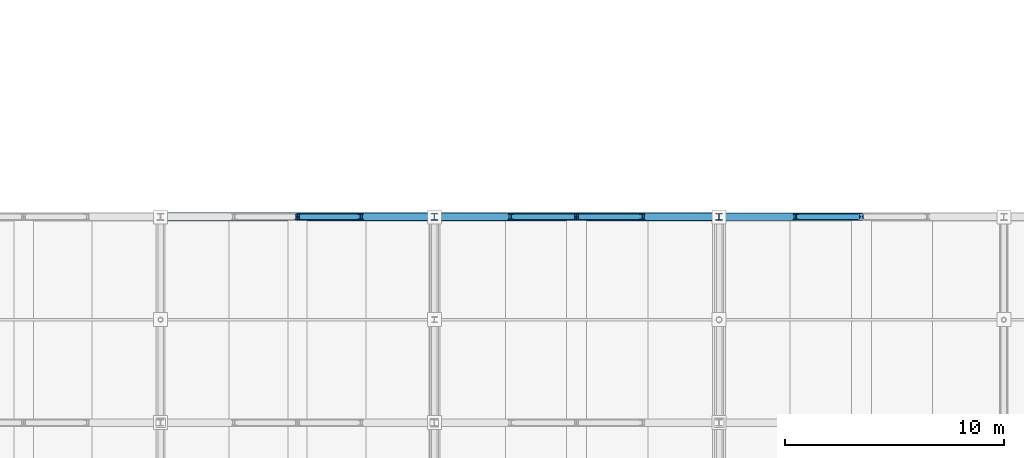
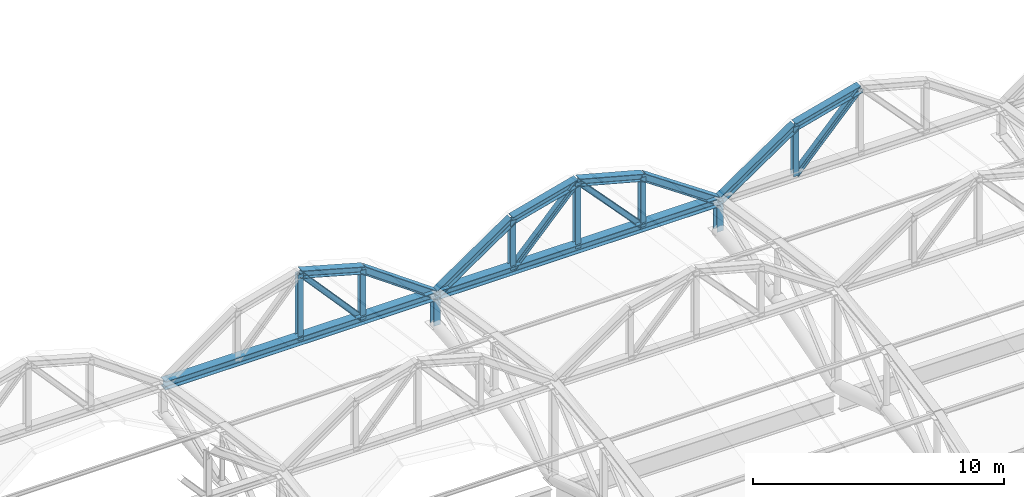
# One storey, part 26 of 117: 22 members.
"""IFC4 building model written with IfcOpenShell, lengths in metres."""

from ifc_helpers import new_model, si_unit, direction, frame, origin, origin_2d, place, context, subcontext, project, spatial, i_section, extrude, material, material_profile, profile_set, type_object, element, save


model = new_model("IFC4")

# Units and contexts
model_context = context("Model", 3, precision=1e-05, world=origin(), true_north=direction((0.0, 1.0)))
body_context = subcontext(model_context, "Body", "Model", "MODEL_VIEW")
ifc_project = project(units=[si_unit("LENGTHUNIT", "METRE"), si_unit("AREAUNIT", "SQUARE_METRE"), si_unit("VOLUMEUNIT", "CUBIC_METRE"), si_unit("PLANEANGLEUNIT", "RADIAN"), si_unit("MASSUNIT", "GRAM", prefix="KILO")], contexts=[model_context])

# Site, building, storey
site_placement = place(None, origin())
site = spatial("IfcSite", under=ifc_project, at=site_placement, CompositionType="ELEMENT")
building_placement = place(site_placement, origin())
building = spatial("IfcBuilding", under=site, at=building_placement, Name="Kazenohara Klinker Stadium", CompositionType="ELEMENT")
storey_placement = place(building_placement, frame((0.0, 0.0, 31.199951171875)))
storey = spatial("IfcBuildingStorey", under=building, at=storey_placement, Name="RF", CompositionType="ELEMENT", Elevation=31.199951171875)

# Members
ifc_material = material(Name="Steel S355", Category="steel")
ifc_material_profile_1 = material_profile(ifc_material, i_section(OverallWidth=0.39990234375, OverallDepth=0.39990234375, WebThickness=0.012939453125, FlangeThickness=0.02099609375, FilletRadius=0.02197265625, at=origin_2d()), Name="H-400x400x13x21")
ifc_profile_set_1 = profile_set([ifc_material_profile_1], Name="Steel S355")
member_type_1 = type_object("IfcMemberType", Name="MEM-CHD01", PredefinedType="CHORD", material=ifc_profile_set_1)
member_1_placement = place(storey_placement, frame((112.0, 45.39990234375, 3.300048828125), z_axis=(-1.0, 0.0, 0.0), x_axis=(0.0, -1.0, 0.0)))
element("IfcMember", 1, at=member_1_placement, inside=storey, type_object=member_type_1, Name="Inner tension ring chord TC01 segment 28", PredefinedType="CHORD", context=body_context, shape_type="SweptSolid", body=[
    extrude(i_section(OverallWidth=0.39990234375, OverallDepth=0.39990234375, WebThickness=0.012939453125, FlangeThickness=0.02099609375, FilletRadius=0.02197265625, at=origin_2d()), origin(), (0.0, 0.0, 1.0), 13.0),
])
member_2_placement = place(storey_placement, frame((99.0, 45.39990234375, 3.300048828125), z_axis=(-1.0, 0.0, 0.0), x_axis=(0.0, -1.0, 0.0)))
element("IfcMember", 2, at=member_2_placement, inside=storey, type_object=member_type_1, Name="Inner tension ring chord TC01 segment 29", PredefinedType="CHORD", context=body_context, shape_type="SweptSolid", body=[
    extrude(i_section(OverallWidth=0.39990234375, OverallDepth=0.39990234375, WebThickness=0.012939453125, FlangeThickness=0.02099609375, FilletRadius=0.02197265625, at=origin_2d()), origin(), (0.0, 0.0, 1.0), 12.5),
])
ifc_material_profile_2 = material_profile(ifc_material, i_section(OverallWidth=0.35009765625, OverallDepth=0.35009765625, WebThickness=0.011962890625, FlangeThickness=0.01904296875, FilletRadius=0.012939453125, at=origin_2d()), Name="H-350x350x12x19")
ifc_profile_set_2 = profile_set([ifc_material_profile_2], Name="Steel S355")
member_type_2 = type_object("IfcMemberType", Name="MEM-CHD02", PredefinedType="CHORD", material=ifc_profile_set_2)
member_3_placement = place(storey_placement, frame((92.75, 45.39990234375, 6.5), z_axis=(0.963393567269, 0.0, -0.268091093745), x_axis=(0.0, 1.0, 0.0)))
element("IfcMember", 3, at=member_3_placement, inside=storey, type_object=member_type_2, Name="Barrel arch top rib TC02 S-03-N5-S3", PredefinedType="CHORD", context=body_context, shape_type="SweptSolid", body=[
    extrude(i_section(OverallWidth=0.35009765625, OverallDepth=0.35009765625, WebThickness=0.011962890625, FlangeThickness=0.01904296875, FilletRadius=0.012939453125, at=origin_2d()), origin(), (0.0, 0.0, 1.0), 2.984130859375),
])
member_4_placement = place(storey_placement, frame((95.625, 45.39990234375, 5.699951171875), z_axis=(0.814966461491, 0.0, -0.579508124744), x_axis=(0.0, 1.0, 0.0)))
element("IfcMember", 4, at=member_4_placement, inside=storey, type_object=member_type_2, Name="Barrel arch top rib TC02 S-03-N5-S4", PredefinedType="CHORD", context=body_context, shape_type="SweptSolid", body=[
    extrude(i_section(OverallWidth=0.35009765625, OverallDepth=0.35009765625, WebThickness=0.011962890625, FlangeThickness=0.01904296875, FilletRadius=0.012939453125, at=origin_2d()), origin(), (0.0, 0.0, 1.0), 4.141357421875),
])
member_5_placement = place(storey_placement, frame((99.0, 45.39990234375, 3.300048828125), z_axis=(0.825491711615, 0.0, 0.56441423977), x_axis=(0.0, 1.0, 0.0)))
element("IfcMember", 5, at=member_5_placement, inside=storey, type_object=member_type_2, Name="Barrel arch top rib TC02 S-04-N5-S1", PredefinedType="CHORD", context=body_context, shape_type="SweptSolid", body=[
    extrude(i_section(OverallWidth=0.35009765625, OverallDepth=0.35009765625, WebThickness=0.011962890625, FlangeThickness=0.01904296875, FilletRadius=0.012939453125, at=origin_2d()), origin(), (0.0, 0.0, 1.0), 4.251953125),
])
for number, where, z_axis, x_axis, name in (
    (6, (102.510009765625, 45.39990234375, 5.699951171875), (0.966015959624, 0.0, 0.258482428324), (0.0, 1.0, 0.0), "Barrel arch top rib TC02 S-04-N5-S2"),
    (7, (105.5, 45.39990234375, 6.5), (0.966015959624, 0.0, -0.258482428324), (0.0, 1.0, 0.0), "Barrel arch top rib TC02 S-04-N5-S3"),
):
    element("IfcMember", number, at=place(storey_placement, frame(where, z_axis=z_axis, x_axis=x_axis)), inside=storey, type_object=member_type_2, Name=name, PredefinedType="CHORD", context=body_context, shape_type="SweptSolid", body=[
        extrude(i_section(OverallWidth=0.35009765625, OverallDepth=0.35009765625, WebThickness=0.011962890625, FlangeThickness=0.01904296875, FilletRadius=0.012939453125, at=origin_2d()), origin(), (0.0, 0.0, 1.0), 3.09521484375),
    ])
for number, where, z_axis, x_axis, name in (
    (8, (108.489990234375, 45.39990234375, 5.699951171875), (0.825491711615, 0.0, -0.56441423977), (0.0, 1.0, 0.0), "Barrel arch top rib TC02 S-04-N5-S4"),
    (9, (112.0, 45.39990234375, 3.300048828125), (0.825491711615, 0.0, 0.56441423977), (0.0, 1.0, 0.0), "Barrel arch top rib TC02 S-05-N5-S1"),
):
    element("IfcMember", number, at=place(storey_placement, frame(where, z_axis=z_axis, x_axis=x_axis)), inside=storey, type_object=member_type_2, Name=name, PredefinedType="CHORD", context=body_context, shape_type="SweptSolid", body=[
        extrude(i_section(OverallWidth=0.35009765625, OverallDepth=0.35009765625, WebThickness=0.011962890625, FlangeThickness=0.01904296875, FilletRadius=0.012939453125, at=origin_2d()), origin(), (0.0, 0.0, 1.0), 4.251953125),
    ])
member_6_placement = place(storey_placement, frame((115.510009765625, 45.39990234375, 5.699951171875), z_axis=(0.966015959624, 0.0, 0.258482428324), x_axis=(0.0, 1.0, 0.0)))
element("IfcMember", 10, at=member_6_placement, inside=storey, type_object=member_type_2, Name="Barrel arch top rib TC02 S-05-N5-S2", PredefinedType="CHORD", context=body_context, shape_type="SweptSolid", body=[
    extrude(i_section(OverallWidth=0.35009765625, OverallDepth=0.35009765625, WebThickness=0.011962890625, FlangeThickness=0.01904296875, FilletRadius=0.012939453125, at=origin_2d()), origin(), (0.0, 0.0, 1.0), 3.09521484375),
])
ifc_material_profile_3 = material_profile(ifc_material, i_section(OverallWidth=0.300048828125, OverallDepth=0.300048828125, WebThickness=0.010009765625, FlangeThickness=0.014892578125, FilletRadius=0.012939453125, at=origin_2d()), Name="H-300x300x10x15")
ifc_profile_set_3 = profile_set([ifc_material_profile_3], Name="Steel S355")
member_type_3 = type_object("IfcMemberType", Name="MEM-STR01", PredefinedType="STRUT", material=ifc_profile_set_3)
for number, where, z_axis, x_axis, name in (
    (11, (99.0, 45.39990234375, 1.85009765625), (0.0, 0.0, 1.0), (1.0, 0.0, 0.0), "ROOF TRUSS RT-S04 web post 6"),
    (12, (112.0, 45.39990234375, 1.85009765625), (0.0, 0.0, 1.0), (1.0, 0.0, 0.0), "ROOF TRUSS RT-S05 web post 6"),
):
    element("IfcMember", number, at=place(storey_placement, frame(where, z_axis=z_axis, x_axis=x_axis)), inside=storey, type_object=member_type_3, Name=name, PredefinedType="STRUT", context=body_context, shape_type="SweptSolid", body=[
        extrude(i_section(OverallWidth=0.300048828125, OverallDepth=0.300048828125, WebThickness=0.010009765625, FlangeThickness=0.014892578125, FilletRadius=0.012939453125, at=origin_2d()), origin(), (0.0, 0.0, 1.0), 1.449951171875),
    ])
ifc_material_profile_4 = material_profile(ifc_material, i_section(OverallWidth=0.25, OverallDepth=0.25, WebThickness=0.009033203125, FlangeThickness=0.013916015625, FilletRadius=0.012939453125, at=origin_2d()), Name="H-250x250x9x14")
ifc_profile_set_4 = profile_set([ifc_material_profile_4], Name="Steel S355")
member_type_4 = type_object("IfcMemberType", Name="MEM-STR02", PredefinedType="STRUT", material=ifc_profile_set_4)
member_7_placement = place(storey_placement, frame((92.75, 45.39990234375, 3.300048828125), z_axis=(0.0, 0.0, 1.0), x_axis=(1.0, 0.0, 0.0)))
element("IfcMember", 13, at=member_7_placement, inside=storey, type_object=member_type_4, Name="Barrel arch web post TS02 S-03-N5-P2", PredefinedType="STRUT", context=body_context, shape_type="SweptSolid", body=[
    extrude(i_section(OverallWidth=0.25, OverallDepth=0.25, WebThickness=0.009033203125, FlangeThickness=0.013916015625, FilletRadius=0.012939453125, at=origin_2d()), origin(), (0.0, 0.0, 1.0), 3.199951171875),
])
member_8_placement = place(storey_placement, frame((95.625, 45.39990234375, 3.300048828125), z_axis=(0.0, 0.0, 1.0), x_axis=(1.0, 0.0, 0.0)))
element("IfcMember", 14, at=member_8_placement, inside=storey, type_object=member_type_4, Name="Barrel arch web post TS02 S-03-N5-P3", PredefinedType="STRUT", context=body_context, shape_type="SweptSolid", body=[
    extrude(i_section(OverallWidth=0.25, OverallDepth=0.25, WebThickness=0.009033203125, FlangeThickness=0.013916015625, FilletRadius=0.012939453125, at=origin_2d()), origin(), (0.0, 0.0, 1.0), 2.39990234375),
])
member_9_placement = place(storey_placement, frame((95.625, 45.39990234375, 3.300048828125), z_axis=(-0.668327970369, 0.0, 0.74386673808), x_axis=(0.0, -1.0, 0.0)))
element("IfcMember", 15, at=member_9_placement, inside=storey, type_object=member_type_4, Name="Barrel arch web diagonal TS02 S-03-N5-D2", PredefinedType="STRUT", context=body_context, shape_type="SweptSolid", body=[
    extrude(i_section(OverallWidth=0.25, OverallDepth=0.25, WebThickness=0.009033203125, FlangeThickness=0.013916015625, FilletRadius=0.012939453125, at=origin_2d()), origin(), (0.0, 0.0, 1.0), 4.3017578125),
])
member_10_placement = place(storey_placement, frame((102.510009765625, 45.39990234375, 3.300048828125), z_axis=(0.0, 0.0, 1.0), x_axis=(1.0, 0.0, 0.0)))
element("IfcMember", 16, at=member_10_placement, inside=storey, type_object=member_type_4, Name="Barrel arch web post TS02 S-04-N5-P1", PredefinedType="STRUT", context=body_context, shape_type="SweptSolid", body=[
    extrude(i_section(OverallWidth=0.25, OverallDepth=0.25, WebThickness=0.009033203125, FlangeThickness=0.013916015625, FilletRadius=0.012939453125, at=origin_2d()), origin(), (0.0, 0.0, 1.0), 2.39990234375),
])
member_11_placement = place(storey_placement, frame((105.5, 45.39990234375, 3.300048828125), z_axis=(0.0, 0.0, 1.0), x_axis=(1.0, 0.0, 0.0)))
element("IfcMember", 17, at=member_11_placement, inside=storey, type_object=member_type_4, Name="Barrel arch web post TS02 S-04-N5-P2", PredefinedType="STRUT", context=body_context, shape_type="SweptSolid", body=[
    extrude(i_section(OverallWidth=0.25, OverallDepth=0.25, WebThickness=0.009033203125, FlangeThickness=0.013916015625, FilletRadius=0.012939453125, at=origin_2d()), origin(), (0.0, 0.0, 1.0), 3.199951171875),
])
member_12_placement = place(storey_placement, frame((108.489990234375, 45.39990234375, 3.300048828125), z_axis=(0.0, 0.0, 1.0), x_axis=(1.0, 0.0, 0.0)))
element("IfcMember", 18, at=member_12_placement, inside=storey, type_object=member_type_4, Name="Barrel arch web post TS02 S-04-N5-P3", PredefinedType="STRUT", context=body_context, shape_type="SweptSolid", body=[
    extrude(i_section(OverallWidth=0.25, OverallDepth=0.25, WebThickness=0.009033203125, FlangeThickness=0.013916015625, FilletRadius=0.012939453125, at=origin_2d()), origin(), (0.0, 0.0, 1.0), 2.39990234375),
])
for number, where, z_axis, x_axis, name in (
    (19, (102.510009765625, 45.39990234375, 3.300048828125), (0.682729290589, 0.0, 0.730671414366), (0.0, 1.0, 0.0), "Barrel arch web diagonal TS02 S-04-N5-D1"),
    (20, (108.489990234375, 45.39990234375, 3.300048828125), (-0.682729290589, 0.0, 0.730671414366), (0.0, -1.0, 0.0), "Barrel arch web diagonal TS02 S-04-N5-D2"),
):
    element("IfcMember", number, at=place(storey_placement, frame(where, z_axis=z_axis, x_axis=x_axis)), inside=storey, type_object=member_type_4, Name=name, PredefinedType="STRUT", context=body_context, shape_type="SweptSolid", body=[
        extrude(i_section(OverallWidth=0.25, OverallDepth=0.25, WebThickness=0.009033203125, FlangeThickness=0.013916015625, FilletRadius=0.012939453125, at=origin_2d()), origin(), (0.0, 0.0, 1.0), 4.37939453125),
    ])
member_13_placement = place(storey_placement, frame((115.510009765625, 45.39990234375, 3.300048828125), z_axis=(0.0, 0.0, 1.0), x_axis=(1.0, 0.0, 0.0)))
element("IfcMember", 21, at=member_13_placement, inside=storey, type_object=member_type_4, Name="Barrel arch web post TS02 S-05-N5-P1", PredefinedType="STRUT", context=body_context, shape_type="SweptSolid", body=[
    extrude(i_section(OverallWidth=0.25, OverallDepth=0.25, WebThickness=0.009033203125, FlangeThickness=0.013916015625, FilletRadius=0.012939453125, at=origin_2d()), origin(), (0.0, 0.0, 1.0), 2.39990234375),
])
member_14_placement = place(storey_placement, frame((115.510009765625, 45.39990234375, 3.300048828125), z_axis=(0.682729290589, 0.0, 0.730671414366), x_axis=(0.0, 1.0, 0.0)))
element("IfcMember", 22, at=member_14_placement, inside=storey, type_object=member_type_4, Name="Barrel arch web diagonal TS02 S-05-N5-D1", PredefinedType="STRUT", context=body_context, shape_type="SweptSolid", body=[
    extrude(i_section(OverallWidth=0.25, OverallDepth=0.25, WebThickness=0.009033203125, FlangeThickness=0.013916015625, FilletRadius=0.012939453125, at=origin_2d()), origin(), (0.0, 0.0, 1.0), 4.37939453125),
])

save(model, "model.ifc")
